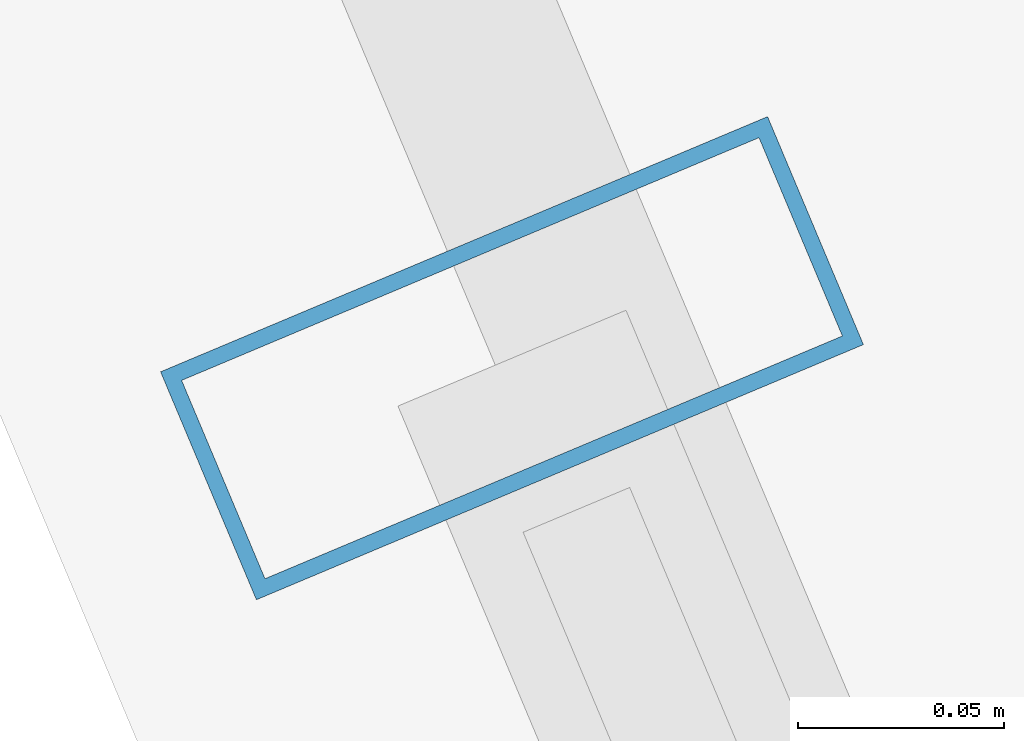
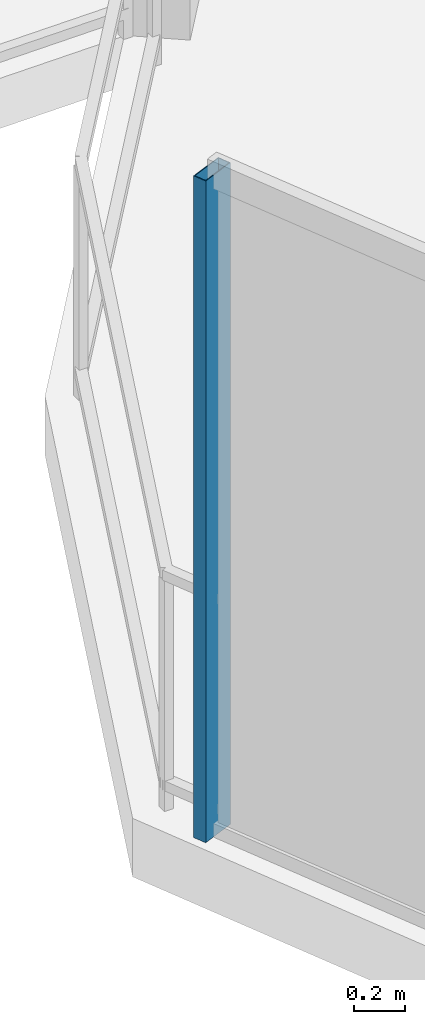
# One storey, part 16 of 30: 1 member, 1 element without a shape of its own.
"""IFC4 building model written with IfcOpenShell, lengths in metres."""

from ifc_helpers import new_model, si_unit, direction, frame, origin, origin_2d, place, context, subcontext, project, spatial, hollow_rectangle, extrude, material, layer, layer_set, material_profile, profile_set, type_object, element, aggregate, save


model = new_model("IFC4")

# Units and contexts
model_context = context("Model", 3, precision=1e-05, world=origin(), true_north=direction((0.0, 1.0)))
body_context = subcontext(model_context, "Body", "Model", "MODEL_VIEW")
ifc_project = project(units=[si_unit("LENGTHUNIT", "METRE"), si_unit("AREAUNIT", "SQUARE_METRE"), si_unit("VOLUMEUNIT", "CUBIC_METRE"), si_unit("PLANEANGLEUNIT", "RADIAN"), si_unit("MASSUNIT", "GRAM", prefix="KILO")], contexts=[model_context])

# Site, building, storey
site_placement = place(None, origin())
site = spatial("IfcSite", under=ifc_project, at=site_placement, CompositionType="ELEMENT")
building_placement = place(site_placement, origin())
building = spatial("IfcBuilding", under=site, at=building_placement, Name="Qarnah Convention Tower", CompositionType="ELEMENT")
storey_placement = place(building_placement, frame((0.0, 0.0, 40.800048828125)))
storey = spatial("IfcBuildingStorey", under=building, at=storey_placement, Name="L09", CompositionType="ELEMENT", Elevation=40.800048828125)

# Curtain wall, member
ifc_material_1 = material(Name="Tempered Low-E dark glass", Category="glass")
ifc_layer = layer(ifc_material_1, 0.16796875)
ifc_layer_set = layer_set([ifc_layer], Name="Tempered Low-E dark glass")
curtain_wall_type = type_object("IfcCurtainWallType", Name="CWS-01", PredefinedType="NOTDEFINED", material=ifc_layer_set)
curtain_wall_placement = place(storey_placement, origin())
curtain_wall = element("IfcCurtainWall", 1, at=curtain_wall_placement, inside=storey, type_object=curtain_wall_type, Name="L09 unitised curtain wall CW-L09-F1", PredefinedType="NOTDEFINED")
ifc_material_2 = material(Name="Black anodised aluminium", Category="aluminium")
ifc_material_profile = material_profile(ifc_material_2, hollow_rectangle(XDim=0.06005859375, YDim=0.159912109375, WallThickness=0.00390625, at=origin_2d()), Name="MUL-60X160")
ifc_profile_set = profile_set([ifc_material_profile], Name="Black anodised aluminium")
member_type = type_object("IfcMemberType", Name="MUL-T1", PredefinedType="MULLION", material=ifc_profile_set)
member_placement = place(storey_placement, frame((13.950927734375, 34.885986328125, 0.0), z_axis=(0.0, 0.0, 1.0), x_axis=(-0.387513462631, 0.921864044358, 0.0)))
member = element("IfcMember", 2, at=member_placement, type_object=member_type, Name="CW-L09-F1 mullion 6", PredefinedType="MULLION", context=body_context, shape_type="SweptSolid", body=[
    extrude(hollow_rectangle(XDim=0.06005859375, YDim=0.159912109375, WallThickness=0.00390625, at=origin_2d()), origin(), (0.0, 0.0, 1.0), 3.169921875),
])
aggregate(curtain_wall, [member])

save(model, "model.ifc")
